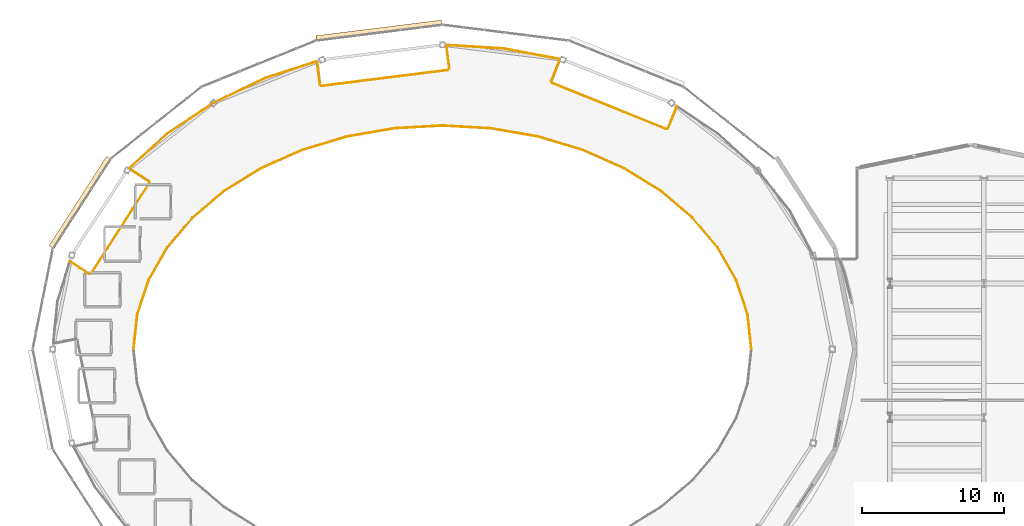
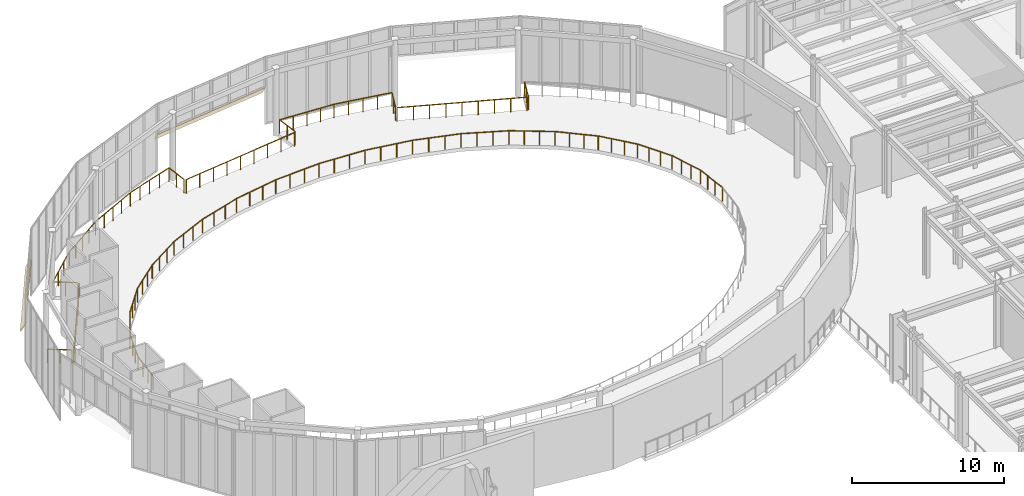
# One storey, part 93 of 98: 16 railings, 2 coverings.
"""IFC4 building model written with IfcOpenShell, lengths in metres."""

from ifc_helpers import new_model, si_unit, direction, frame, origin, origin_2d, place, context, subcontext, project, spatial, polyline, circle, outline, extrude, material, layer, layer_set, type_object, element, save


model = new_model("IFC4")

# Units and contexts
model_context = context("Model", 3, precision=1e-05, world=origin(), true_north=direction((0.0, 1.0)))
body_context = subcontext(model_context, "Body", "Model", "MODEL_VIEW")
ifc_project = project(units=[si_unit("LENGTHUNIT", "METRE"), si_unit("AREAUNIT", "SQUARE_METRE"), si_unit("VOLUMEUNIT", "CUBIC_METRE"), si_unit("PLANEANGLEUNIT", "RADIAN"), si_unit("MASSUNIT", "GRAM", prefix="KILO")], contexts=[model_context])

# Site, building, storey
site_placement = place(None, origin())
site = spatial("IfcSite", under=ifc_project, at=site_placement, CompositionType="ELEMENT")
building_placement = place(site_placement, origin())
building = spatial("IfcBuilding", under=site, at=building_placement, Name="Sollismere Congress Hotel", CompositionType="ELEMENT")
storey_placement = place(building_placement, frame((0.0, 0.0, 5.39990234375)))
storey = spatial("IfcBuildingStorey", under=building, at=storey_placement, Name="L01", CompositionType="ELEMENT", Elevation=5.39990234375)

# Coverings
ifc_material_1 = material(Name="Standing-Seam Titanium-Zinc Roof Assembly")
ifc_layer = layer(ifc_material_1, 0.054931640625, Name="Standing-Seam Titanium-Zinc Roof Assembly")
ifc_layer_set = layer_set([ifc_layer], Name="Standing-Seam Titanium-Zinc Roof Assembly")
covering_type = type_object("IfcCoveringType", Name="CV-RFZNC", PredefinedType="ROOFING", material=ifc_layer_set)
covering_1_placement = place(storey_placement, frame((28.935302734375, 113.425048828125, 2.35986328125), z_axis=(-0.107421607984, 0.857020305702, 0.503961103412), x_axis=(-0.992235617802, -0.12437233916, 4.116519e-06)))
element("IfcCovering", 1, at=covering_1_placement, inside=storey, type_object=covering_type, Name="Congress portal hood 5", PredefinedType="ROOFING", context=body_context, shape_type="SweptSolid", body=[
    extrude(outline(polyline([(0.0, 0.0), (8.893798828125, 0.0), (8.8740234375, 0.6943359375), (0.02001953125, 0.694580078125), (0.0, 0.0)])), origin(), (0.0, 0.0, 1.0), 0.080078125),
])
covering_2_placement = place(storey_placement, frame((5.488525390625, 103.89892578125, 2.35986328125), z_axis=(-0.726293743383, 0.467678234548, 0.503760327193), x_axis=(-0.541392744444, -0.840769823592, -8.26275e-07)))
element("IfcCovering", 2, at=covering_2_placement, inside=storey, type_object=covering_type, Name="Congress portal hood 8", PredefinedType="ROOFING", context=body_context, shape_type="SweptSolid", body=[
    extrude(outline(polyline([(0.0, 0.0), (7.483154296875, 0.0), (7.463134765625, 0.6943359375), (0.02001953125, 0.6943359375), (0.0, 0.0)])), origin(), (0.0, 0.0, 1.0), 0.080078125),
])

# Railings
ifc_material_2 = material(Name="Bronze and Laminated Safety Glass", Category="glass")
railing_type = type_object("IfcRailingType", Name="RL-BAL112I", PredefinedType="BALUSTRADE", material=ifc_material_2)
railing_1_placement = place(storey_placement, frame((50.679931640625, 90.39990234375, 0.0)))
element("IfcRailing", 3, at=railing_1_placement, inside=storey, type_object=railing_type, Name="RLG-GDA-L01-008", PredefinedType="BALUSTRADE", context=body_context, shape_type="SweptSolid", body=[
    extrude(circle(Radius=0.02392578125, at=origin_2d()), frame((0.0, 0.0, 1.09619140625), z_axis=(-0.108150595503, 0.994134522433, 0.0), x_axis=(-0.994134522433, -0.108150595503, 0.0)), (0.0, 0.0, 1.0), 2.46728515625),
    extrude(circle(Radius=0.02392578125, at=origin_2d()), frame((-0.266845703125, 2.452880859375, 1.09619140625), z_axis=(-0.315036324974, 0.949079614125, 0.0), x_axis=(-0.949079614125, -0.315036324974, 0.0)), (0.0, 0.0, 1.0), 2.52099609375),
    extrude(circle(Radius=0.02392578125, at=origin_2d()), frame((-1.06103515625, 4.845458984375, 1.09619140625), z_axis=(-0.497011858061, 0.867743748435, 0.0), x_axis=(-0.867743748435, -0.497011858061, 0.0)), (0.0, 0.0, 1.0), 2.61962890625),
    extrude(circle(Radius=0.02392578125, at=origin_2d()), frame((-2.363037109375, 7.11865234375, 1.09619140625), z_axis=(-0.646407821487, 0.762992089291, 0.0), x_axis=(-0.762992089291, -0.646407821487, 0.0)), (0.0, 0.0, 1.0), 2.74951171875),
    extrude(circle(Radius=0.02392578125, at=origin_2d()), frame((-4.140380859375, 9.216552734375, 1.09619140625), z_axis=(-0.763165534906, 0.646203038009, 0.0), x_axis=(-0.646203038009, -0.763165534906, 0.0)), (0.0, 0.0, 1.0), 2.895263671875),
    extrude(circle(Radius=0.02392578125, at=origin_2d()), frame((-6.349853515625, 11.08740234375, 1.09619140625), z_axis=(-0.850747316011, 0.525574927389, 0.0), x_axis=(-0.525574927389, -0.850747316011, 0.0)), (0.0, 0.0, 1.0), 3.040771484375),
    extrude(circle(Radius=0.02392578125, at=origin_2d()), frame((-8.936767578125, 12.685546875, 1.09619140625), z_axis=(-0.914223583999, 0.405210116433, 0.0), x_axis=(-0.405210116433, -0.914223583999, 0.0)), (0.0, 0.0, 1.0), 3.1728515625),
    extrude(circle(Radius=0.02392578125, at=origin_2d()), frame((-11.83740234375, 13.97119140625, 1.09619140625), z_axis=(-0.957953166414, 0.286924608489, 0.0), x_axis=(-0.286924608489, -0.957953166414, 0.0)), (0.0, 0.0, 1.0), 3.281005859375),
    extrude(circle(Radius=0.02392578125, at=origin_2d()), frame((-14.98046875, 14.91259765625, 1.09619140625), z_axis=(-0.985252822019, 0.171104870486, 0.0), x_axis=(-0.171104870486, -0.985252822019, 0.0)), (0.0, 0.0, 1.0), 3.357421875),
    extrude(circle(Radius=0.02392578125, at=origin_2d()), frame((-18.288330078125, 15.487060546875, 1.09619140625), z_axis=(-0.998382892186, 0.05684716871, 0.0), x_axis=(-0.05684716871, -0.998382892186, 0.0)), (0.0, 0.0, 1.0), 3.397216796875),
    extrude(circle(Radius=0.02392578125, at=origin_2d()), frame((-21.679931640625, 15.68017578125, 1.09619140625), z_axis=(-0.998382892186, -0.05684716871, 0.0), x_axis=(0.05684716871, -0.998382892186, 0.0)), (0.0, 0.0, 1.0), 3.397216796875),
    extrude(circle(Radius=0.02392578125, at=origin_2d()), frame((-25.071533203125, 15.487060546875, 1.09619140625), z_axis=(-0.985252822019, -0.171104870486, 0.0), x_axis=(0.171104870486, -0.985252822019, 0.0)), (0.0, 0.0, 1.0), 3.357421875),
    extrude(circle(Radius=0.02392578125, at=origin_2d()), frame((-28.37939453125, 14.91259765625, 1.09619140625), z_axis=(-0.957953166414, -0.286924608489, 0.0), x_axis=(0.286924608489, -0.957953166414, 0.0)), (0.0, 0.0, 1.0), 3.281005859375),
    extrude(circle(Radius=0.02392578125, at=origin_2d()), frame((-31.5224609375, 13.97119140625, 1.09619140625), z_axis=(-0.914223583999, -0.405210116433, 0.0), x_axis=(0.405210116433, -0.914223583999, 0.0)), (0.0, 0.0, 1.0), 3.1728515625),
    extrude(circle(Radius=0.02392578125, at=origin_2d()), frame((-34.423095703125, 12.685546875, 1.09619140625), z_axis=(-0.850747316011, -0.525574927389, 0.0), x_axis=(0.525574927389, -0.850747316011, 0.0)), (0.0, 0.0, 1.0), 3.040771484375),
    extrude(circle(Radius=0.02392578125, at=origin_2d()), frame((-37.010009765625, 11.08740234375, 1.09619140625), z_axis=(-0.763165534906, -0.646203038009, 0.0), x_axis=(0.646203038009, -0.763165534906, 0.0)), (0.0, 0.0, 1.0), 2.895263671875),
    extrude(circle(Radius=0.02392578125, at=origin_2d()), frame((-39.219482421875, 9.216552734375, 1.09619140625), z_axis=(-0.646407821487, -0.762992089291, 0.0), x_axis=(0.762992089291, -0.646407821487, 0.0)), (0.0, 0.0, 1.0), 2.74951171875),
    extrude(circle(Radius=0.02392578125, at=origin_2d()), frame((-40.996826171875, 7.11865234375, 1.09619140625), z_axis=(-0.497011858061, -0.867743748435, 0.0), x_axis=(0.867743748435, -0.497011858061, 0.0)), (0.0, 0.0, 1.0), 2.61962890625),
    extrude(circle(Radius=0.02392578125, at=origin_2d()), frame((-42.298828125, 4.845458984375, 1.09619140625), z_axis=(-0.315036324974, -0.949079614125, 0.0), x_axis=(0.949079614125, -0.315036324974, 0.0)), (0.0, 0.0, 1.0), 2.52099609375),
    extrude(circle(Radius=0.02392578125, at=origin_2d()), frame((-43.093017578125, 2.452880859375, 1.09619140625), z_axis=(-0.108150595503, -0.994134522433, 0.0), x_axis=(0.994134522433, -0.108150595503, 0.0)), (0.0, 0.0, 1.0), 2.46728515625),
    extrude(circle(Radius=0.02099609375, at=origin_2d()), origin(), (0.0, 0.0, 1.0), 1.072021484375),
    extrude(circle(Radius=0.02099609375, at=origin_2d()), frame((-0.0888671875, 0.817626953125, 0.0)), (0.0, 0.0, 1.0), 1.072021484375),
    extrude(circle(Radius=0.02099609375, at=origin_2d()), frame((-0.177978515625, 1.63525390625, 0.0)), (0.0, 0.0, 1.0), 1.072021484375),
    extrude(circle(Radius=0.02099609375, at=origin_2d()), frame((-0.266845703125, 2.452880859375, 0.0)), (0.0, 0.0, 1.0), 1.072021484375),
    extrude(circle(Radius=0.02099609375, at=origin_2d()), frame((-0.531494140625, 3.25048828125, 0.0)), (0.0, 0.0, 1.0), 1.072021484375),
    extrude(circle(Radius=0.02099609375, at=origin_2d()), frame((-0.79638671875, 4.0478515625, 0.0)), (0.0, 0.0, 1.0), 1.072021484375),
    extrude(circle(Radius=0.02099609375, at=origin_2d()), frame((-1.06103515625, 4.845458984375, 0.0)), (0.0, 0.0, 1.0), 1.072021484375),
    extrude(circle(Radius=0.02099609375, at=origin_2d()), frame((-1.4951171875, 5.603271484375, 0.0)), (0.0, 0.0, 1.0), 1.072021484375),
    extrude(circle(Radius=0.02099609375, at=origin_2d()), frame((-1.928955078125, 6.36083984375, 0.0)), (0.0, 0.0, 1.0), 1.072021484375),
    extrude(circle(Radius=0.02099609375, at=origin_2d()), frame((-2.363037109375, 7.11865234375, 0.0)), (0.0, 0.0, 1.0), 1.072021484375),
    extrude(circle(Radius=0.02099609375, at=origin_2d()), frame((-2.95556640625, 7.81787109375, 0.0)), (0.0, 0.0, 1.0), 1.072021484375),
    extrude(circle(Radius=0.02099609375, at=origin_2d()), frame((-3.5478515625, 8.517333984375, 0.0)), (0.0, 0.0, 1.0), 1.072021484375),
    extrude(circle(Radius=0.02099609375, at=origin_2d()), frame((-4.140380859375, 9.216552734375, 0.0)), (0.0, 0.0, 1.0), 1.072021484375),
    extrude(circle(Radius=0.02099609375, at=origin_2d()), frame((-4.876953125, 9.840087890625, 0.0)), (0.0, 0.0, 1.0), 1.072021484375),
    extrude(circle(Radius=0.02099609375, at=origin_2d()), frame((-5.61328125, 10.4638671875, 0.0)), (0.0, 0.0, 1.0), 1.072021484375),
    extrude(circle(Radius=0.02099609375, at=origin_2d()), frame((-6.349853515625, 11.08740234375, 0.0)), (0.0, 0.0, 1.0), 1.072021484375),
    extrude(circle(Radius=0.02099609375, at=origin_2d()), frame((-7.212158203125, 11.6201171875, 0.0)), (0.0, 0.0, 1.0), 1.072021484375),
    extrude(circle(Radius=0.02099609375, at=origin_2d()), frame((-8.074462890625, 12.15283203125, 0.0)), (0.0, 0.0, 1.0), 1.072021484375),
    extrude(circle(Radius=0.02099609375, at=origin_2d()), frame((-8.936767578125, 12.685546875, 0.0)), (0.0, 0.0, 1.0), 1.072021484375),
    extrude(circle(Radius=0.02099609375, at=origin_2d()), frame((-9.903564453125, 13.114013671875, 0.0)), (0.0, 0.0, 1.0), 1.072021484375),
    extrude(circle(Radius=0.02099609375, at=origin_2d()), frame((-10.87060546875, 13.542724609375, 0.0)), (0.0, 0.0, 1.0), 1.072021484375),
    extrude(circle(Radius=0.02099609375, at=origin_2d()), frame((-11.83740234375, 13.97119140625, 0.0)), (0.0, 0.0, 1.0), 1.072021484375),
    extrude(circle(Radius=0.02099609375, at=origin_2d()), frame((-12.885009765625, 14.284912109375, 0.0)), (0.0, 0.0, 1.0), 1.072021484375),
    extrude(circle(Radius=0.02099609375, at=origin_2d()), frame((-13.932861328125, 14.598876953125, 0.0)), (0.0, 0.0, 1.0), 1.072021484375),
    extrude(circle(Radius=0.02099609375, at=origin_2d()), frame((-14.98046875, 14.91259765625, 0.0)), (0.0, 0.0, 1.0), 1.072021484375),
    extrude(circle(Radius=0.02099609375, at=origin_2d()), frame((-16.0830078125, 15.10400390625, 0.0)), (0.0, 0.0, 1.0), 1.072021484375),
    extrude(circle(Radius=0.02099609375, at=origin_2d()), frame((-17.185791015625, 15.295654296875, 0.0)), (0.0, 0.0, 1.0), 1.072021484375),
    extrude(circle(Radius=0.02099609375, at=origin_2d()), frame((-18.288330078125, 15.487060546875, 0.0)), (0.0, 0.0, 1.0), 1.072021484375),
    extrude(circle(Radius=0.02099609375, at=origin_2d()), frame((-19.4189453125, 15.551513671875, 0.0)), (0.0, 0.0, 1.0), 1.072021484375),
    extrude(circle(Radius=0.02099609375, at=origin_2d()), frame((-20.54931640625, 15.61572265625, 0.0)), (0.0, 0.0, 1.0), 1.072021484375),
    extrude(circle(Radius=0.02099609375, at=origin_2d()), frame((-21.679931640625, 15.68017578125, 0.0)), (0.0, 0.0, 1.0), 1.072021484375),
    extrude(circle(Radius=0.02099609375, at=origin_2d()), frame((-22.810546875, 15.61572265625, 0.0)), (0.0, 0.0, 1.0), 1.072021484375),
    extrude(circle(Radius=0.02099609375, at=origin_2d()), frame((-23.94091796875, 15.551513671875, 0.0)), (0.0, 0.0, 1.0), 1.072021484375),
    extrude(circle(Radius=0.02099609375, at=origin_2d()), frame((-25.071533203125, 15.487060546875, 0.0)), (0.0, 0.0, 1.0), 1.072021484375),
    extrude(circle(Radius=0.02099609375, at=origin_2d()), frame((-26.174072265625, 15.295654296875, 0.0)), (0.0, 0.0, 1.0), 1.072021484375),
    extrude(circle(Radius=0.02099609375, at=origin_2d()), frame((-27.27685546875, 15.10400390625, 0.0)), (0.0, 0.0, 1.0), 1.072021484375),
    extrude(circle(Radius=0.02099609375, at=origin_2d()), frame((-28.37939453125, 14.91259765625, 0.0)), (0.0, 0.0, 1.0), 1.072021484375),
    extrude(circle(Radius=0.02099609375, at=origin_2d()), frame((-29.427001953125, 14.598876953125, 0.0)), (0.0, 0.0, 1.0), 1.072021484375),
    extrude(circle(Radius=0.02099609375, at=origin_2d()), frame((-30.474853515625, 14.284912109375, 0.0)), (0.0, 0.0, 1.0), 1.072021484375),
    extrude(circle(Radius=0.02099609375, at=origin_2d()), frame((-31.5224609375, 13.97119140625, 0.0)), (0.0, 0.0, 1.0), 1.072021484375),
    extrude(circle(Radius=0.02099609375, at=origin_2d()), frame((-32.4892578125, 13.542724609375, 0.0)), (0.0, 0.0, 1.0), 1.072021484375),
    extrude(circle(Radius=0.02099609375, at=origin_2d()), frame((-33.456298828125, 13.114013671875, 0.0)), (0.0, 0.0, 1.0), 1.072021484375),
    extrude(circle(Radius=0.02099609375, at=origin_2d()), frame((-34.423095703125, 12.685546875, 0.0)), (0.0, 0.0, 1.0), 1.072021484375),
    extrude(circle(Radius=0.02099609375, at=origin_2d()), frame((-35.285400390625, 12.15283203125, 0.0)), (0.0, 0.0, 1.0), 1.072021484375),
    extrude(circle(Radius=0.02099609375, at=origin_2d()), frame((-36.147705078125, 11.6201171875, 0.0)), (0.0, 0.0, 1.0), 1.072021484375),
    extrude(circle(Radius=0.02099609375, at=origin_2d()), frame((-37.010009765625, 11.08740234375, 0.0)), (0.0, 0.0, 1.0), 1.072021484375),
    extrude(circle(Radius=0.02099609375, at=origin_2d()), frame((-37.74658203125, 10.4638671875, 0.0)), (0.0, 0.0, 1.0), 1.072021484375),
    extrude(circle(Radius=0.02099609375, at=origin_2d()), frame((-38.48291015625, 9.840087890625, 0.0)), (0.0, 0.0, 1.0), 1.072021484375),
    extrude(circle(Radius=0.02099609375, at=origin_2d()), frame((-39.219482421875, 9.216552734375, 0.0)), (0.0, 0.0, 1.0), 1.072021484375),
    extrude(circle(Radius=0.02099609375, at=origin_2d()), frame((-39.81201171875, 8.517333984375, 0.0)), (0.0, 0.0, 1.0), 1.072021484375),
    extrude(circle(Radius=0.02099609375, at=origin_2d()), frame((-40.404296875, 7.81787109375, 0.0)), (0.0, 0.0, 1.0), 1.072021484375),
    extrude(circle(Radius=0.02099609375, at=origin_2d()), frame((-40.996826171875, 7.11865234375, 0.0)), (0.0, 0.0, 1.0), 1.072021484375),
    extrude(circle(Radius=0.02099609375, at=origin_2d()), frame((-41.430908203125, 6.36083984375, 0.0)), (0.0, 0.0, 1.0), 1.072021484375),
    extrude(circle(Radius=0.02099609375, at=origin_2d()), frame((-41.86474609375, 5.603271484375, 0.0)), (0.0, 0.0, 1.0), 1.072021484375),
    extrude(circle(Radius=0.02099609375, at=origin_2d()), frame((-42.298828125, 4.845458984375, 0.0)), (0.0, 0.0, 1.0), 1.072021484375),
    extrude(circle(Radius=0.02099609375, at=origin_2d()), frame((-42.5634765625, 4.0478515625, 0.0)), (0.0, 0.0, 1.0), 1.072021484375),
    extrude(circle(Radius=0.02099609375, at=origin_2d()), frame((-42.828369140625, 3.25048828125, 0.0)), (0.0, 0.0, 1.0), 1.072021484375),
    extrude(circle(Radius=0.02099609375, at=origin_2d()), frame((-43.093017578125, 2.452880859375, 0.0)), (0.0, 0.0, 1.0), 1.072021484375),
    extrude(circle(Radius=0.02099609375, at=origin_2d()), frame((-43.181884765625, 1.63525390625, 0.0)), (0.0, 0.0, 1.0), 1.072021484375),
    extrude(circle(Radius=0.02099609375, at=origin_2d()), frame((-43.27099609375, 0.817626953125, 0.0)), (0.0, 0.0, 1.0), 1.072021484375),
    extrude(circle(Radius=0.02099609375, at=origin_2d()), frame((-43.35986328125, 0.0, 0.0)), (0.0, 0.0, 1.0), 1.072021484375),
])
railing_2_placement = place(storey_placement, frame((2.84912109375, 96.543701171875, 0.0)))
element("IfcRailing", 4, at=railing_2_placement, inside=storey, type_object=railing_type, Name="RLG-GDA-L01-035", PredefinedType="BALUSTRADE", context=body_context, shape_type="SweptSolid", body=[
    extrude(circle(Radius=0.02392578125, at=origin_2d()), frame((0.0, 0.0, 1.09619140625), z_axis=(0.840766412548, -0.541398041677, 0.0), x_axis=(0.541398041677, 0.840766412548, 0.0)), (0.0, 0.0, 1.0), 1.617919921875),
    extrude(circle(Radius=0.02099609375, at=origin_2d()), origin(), (0.0, 0.0, 1.0), 1.072021484375),
    extrude(circle(Radius=0.02099609375, at=origin_2d()), frame((0.68017578125, -0.43798828125, 0.0)), (0.0, 0.0, 1.0), 1.072021484375),
    extrude(circle(Radius=0.02099609375, at=origin_2d()), frame((1.3603515625, -0.8759765625, 0.0)), (0.0, 0.0, 1.0), 1.072021484375),
])
railing_3_placement = place(storey_placement, frame((4.34765625, 95.69775390625, 0.0)))
element("IfcRailing", 5, at=railing_3_placement, inside=storey, type_object=railing_type, Name="RLG-GDA-L01-036", PredefinedType="BALUSTRADE", context=body_context, shape_type="SweptSolid", body=[
    extrude(circle(Radius=0.02392578125, at=origin_2d()), frame((0.0, 0.0, 1.09619140625), z_axis=(0.541387234376, 0.840773371638, 0.0), x_axis=(-0.840773371638, 0.541387234376, 0.0)), (0.0, 0.0, 1.0), 7.543212890625),
    extrude(circle(Radius=0.02099609375, at=origin_2d()), origin(), (0.0, 0.0, 1.0), 1.072021484375),
    extrude(circle(Radius=0.02099609375, at=origin_2d()), frame((0.58349609375, 0.906005859375, 0.0)), (0.0, 0.0, 1.0), 1.072021484375),
    extrude(circle(Radius=0.02099609375, at=origin_2d()), frame((1.166748046875, 1.81201171875, 0.0)), (0.0, 0.0, 1.0), 1.072021484375),
    extrude(circle(Radius=0.02099609375, at=origin_2d()), frame((1.750244140625, 2.718017578125, 0.0)), (0.0, 0.0, 1.0), 1.072021484375),
    extrude(circle(Radius=0.02099609375, at=origin_2d()), frame((2.33349609375, 3.6240234375, 0.0)), (0.0, 0.0, 1.0), 1.072021484375),
    extrude(circle(Radius=0.02099609375, at=origin_2d()), frame((2.9169921875, 4.530029296875, 0.0)), (0.0, 0.0, 1.0), 1.072021484375),
    extrude(circle(Radius=0.02099609375, at=origin_2d()), frame((3.500244140625, 5.43603515625, 0.0)), (0.0, 0.0, 1.0), 1.072021484375),
    extrude(circle(Radius=0.02099609375, at=origin_2d()), frame((4.083740234375, 6.342041015625, 0.0)), (0.0, 0.0, 1.0), 1.072021484375),
])
railing_4_placement = place(storey_placement, frame((8.4013671875, 102.177978515625, 0.0)))
element("IfcRailing", 6, at=railing_4_placement, inside=storey, type_object=railing_type, Name="RLG-GDA-L01-037", PredefinedType="BALUSTRADE", context=body_context, shape_type="SweptSolid", body=[
    extrude(circle(Radius=0.02392578125, at=origin_2d()), frame((0.0, 0.0, 1.09619140625), z_axis=(-0.840827989645, 0.541302403311, 0.0), x_axis=(-0.541302403311, -0.840827989645, 0.0)), (0.0, 0.0, 1.0), 1.653076171875),
    extrude(circle(Radius=0.02099609375, at=origin_2d()), origin(), (0.0, 0.0, 1.0), 1.072021484375),
    extrude(circle(Radius=0.02099609375, at=origin_2d()), frame((-0.69482421875, 0.447265625, 0.0)), (0.0, 0.0, 1.0), 1.072021484375),
    extrude(circle(Radius=0.02099609375, at=origin_2d()), frame((-1.389892578125, 0.894775390625, 0.0)), (0.0, 0.0, 1.0), 1.072021484375),
])
railing_5_placement = place(storey_placement, frame((7.011474609375, 103.07275390625, 0.0)))
element("IfcRailing", 7, at=railing_5_placement, inside=storey, type_object=railing_type, Name="RLG-GDA-L01-038", PredefinedType="BALUSTRADE", context=body_context, shape_type="SweptSolid", body=[
    extrude(circle(Radius=0.02392578125, at=origin_2d()), frame((0.0, 0.0, 1.09619140625), z_axis=(0.737790954362, 0.6750292643, 0.0), x_axis=(-0.6750292643, 0.737790954362, 0.0)), (0.0, 0.0, 1.0), 3.578857421875),
    extrude(circle(Radius=0.02099609375, at=origin_2d()), origin(), (0.0, 0.0, 1.0), 1.072021484375),
    extrude(circle(Radius=0.02099609375, at=origin_2d()), frame((0.880126953125, 0.80517578125, 0.0)), (0.0, 0.0, 1.0), 1.072021484375),
    extrude(circle(Radius=0.02099609375, at=origin_2d()), frame((1.76025390625, 1.610595703125, 0.0)), (0.0, 0.0, 1.0), 1.072021484375),
    extrude(circle(Radius=0.02099609375, at=origin_2d()), frame((2.640380859375, 2.415771484375, 0.0)), (0.0, 0.0, 1.0), 1.072021484375),
])
railing_6_placement = place(storey_placement, frame((9.65185546875, 105.488525390625, 0.0)))
element("IfcRailing", 8, at=railing_6_placement, inside=storey, type_object=railing_type, Name="RLG-GDA-L01-039", PredefinedType="BALUSTRADE", context=body_context, shape_type="SweptSolid", body=[
    extrude(circle(Radius=0.02392578125, at=origin_2d()), frame((0.0, 0.0, 1.09619140625), z_axis=(0.831762947027, 0.555130975494, 0.0), x_axis=(-0.555130975494, 0.831762947027, 0.0)), (0.0, 0.0, 1.0), 3.9228515625),
    extrude(circle(Radius=0.02099609375, at=origin_2d()), origin(), (0.0, 0.0, 1.0), 1.072021484375),
    extrude(circle(Radius=0.02099609375, at=origin_2d()), frame((0.815673828125, 0.54443359375, 0.0)), (0.0, 0.0, 1.0), 1.072021484375),
    extrude(circle(Radius=0.02099609375, at=origin_2d()), frame((1.63134765625, 1.0888671875, 0.0)), (0.0, 0.0, 1.0), 1.072021484375),
    extrude(circle(Radius=0.02099609375, at=origin_2d()), frame((2.447265625, 1.63330078125, 0.0)), (0.0, 0.0, 1.0), 1.072021484375),
    extrude(circle(Radius=0.02099609375, at=origin_2d()), frame((3.262939453125, 2.177734375, 0.0)), (0.0, 0.0, 1.0), 1.072021484375),
])
railing_7_placement = place(storey_placement, frame((12.914794921875, 107.666259765625, 0.0)))
element("IfcRailing", 9, at=railing_7_placement, inside=storey, type_object=railing_type, Name="RLG-GDA-L01-040", PredefinedType="BALUSTRADE", context=body_context, shape_type="SweptSolid", body=[
    extrude(circle(Radius=0.02392578125, at=origin_2d()), frame((0.0, 0.0, 1.09619140625), z_axis=(0.901936626464, 0.431868408016, 0.0), x_axis=(-0.431868408016, 0.901936626464, 0.0)), (0.0, 0.0, 1.0), 4.058349609375),
    extrude(circle(Radius=0.02099609375, at=origin_2d()), origin(), (0.0, 0.0, 1.0), 1.072021484375),
    extrude(circle(Radius=0.02099609375, at=origin_2d()), frame((0.9150390625, 0.438232421875, 0.0)), (0.0, 0.0, 1.0), 1.072021484375),
    extrude(circle(Radius=0.02099609375, at=origin_2d()), frame((1.830078125, 0.87646484375, 0.0)), (0.0, 0.0, 1.0), 1.072021484375),
    extrude(circle(Radius=0.02099609375, at=origin_2d()), frame((2.745361328125, 1.314453125, 0.0)), (0.0, 0.0, 1.0), 1.072021484375),
    extrude(circle(Radius=0.02099609375, at=origin_2d()), frame((3.660400390625, 1.752685546875, 0.0)), (0.0, 0.0, 1.0), 1.072021484375),
])
railing_8_placement = place(storey_placement, frame((16.5751953125, 109.4189453125, 0.0)))
element("IfcRailing", 10, at=railing_8_placement, inside=storey, type_object=railing_type, Name="RLG-GDA-L01-041", PredefinedType="BALUSTRADE", context=body_context, shape_type="SweptSolid", body=[
    extrude(circle(Radius=0.02392578125, at=origin_2d()), frame((0.0, 0.0, 1.09619140625), z_axis=(0.95139919985, 0.307960326219, 0.0), x_axis=(-0.307960326219, 0.95139919985, 0.0)), (0.0, 0.0, 1.0), 3.80615234375),
    extrude(circle(Radius=0.02099609375, at=origin_2d()), origin(), (0.0, 0.0, 1.0), 1.072021484375),
    extrude(circle(Radius=0.02099609375, at=origin_2d()), frame((0.9052734375, 0.29296875, 0.0)), (0.0, 0.0, 1.0), 1.072021484375),
    extrude(circle(Radius=0.02099609375, at=origin_2d()), frame((1.810546875, 0.5859375, 0.0)), (0.0, 0.0, 1.0), 1.072021484375),
    extrude(circle(Radius=0.02099609375, at=origin_2d()), frame((2.7158203125, 0.879150390625, 0.0)), (0.0, 0.0, 1.0), 1.072021484375),
    extrude(circle(Radius=0.02099609375, at=origin_2d()), frame((3.62109375, 1.172119140625, 0.0)), (0.0, 0.0, 1.0), 1.072021484375),
])
railing_9_placement = place(storey_placement, frame((20.1962890625, 110.591064453125, 0.0)))
element("IfcRailing", 11, at=railing_9_placement, inside=storey, type_object=railing_type, Name="RLG-GDA-L01-042", PredefinedType="BALUSTRADE", context=body_context, shape_type="SweptSolid", body=[
    extrude(circle(Radius=0.02392578125, at=origin_2d()), frame((0.0, 0.0, 1.09619140625), z_axis=(0.124288774556, -0.992246088689, 0.0), x_axis=(0.992246088689, 0.124288774556, 0.0)), (0.0, 0.0, 1.0), 1.656005859375),
    extrude(circle(Radius=0.02099609375, at=origin_2d()), origin(), (0.0, 0.0, 1.0), 1.072021484375),
    extrude(circle(Radius=0.02099609375, at=origin_2d()), frame((0.10302734375, -0.821533203125, 0.0)), (0.0, 0.0, 1.0), 1.072021484375),
    extrude(circle(Radius=0.02099609375, at=origin_2d()), frame((0.205810546875, -1.64306640625, 0.0)), (0.0, 0.0, 1.0), 1.072021484375),
])
railing_10_placement = place(storey_placement, frame((20.513916015625, 108.861328125, 0.0)))
element("IfcRailing", 12, at=railing_10_placement, inside=storey, type_object=railing_type, Name="RLG-GDA-L01-043", PredefinedType="BALUSTRADE", context=body_context, shape_type="SweptSolid", body=[
    extrude(circle(Radius=0.02392578125, at=origin_2d()), frame((0.0, 0.0, 1.09619140625), z_axis=(0.992236290623, 0.12436697138, 0.0), x_axis=(-0.12436697138, 0.992236290623, 0.0)), (0.0, 0.0, 1.0), 8.95361328125),
    extrude(circle(Radius=0.02099609375, at=origin_2d()), origin(), (0.0, 0.0, 1.0), 1.072021484375),
    extrude(circle(Radius=0.02099609375, at=origin_2d()), frame((1.110595703125, 0.13916015625, 0.0)), (0.0, 0.0, 1.0), 1.072021484375),
    extrude(circle(Radius=0.02099609375, at=origin_2d()), frame((2.220947265625, 0.2783203125, 0.0)), (0.0, 0.0, 1.0), 1.072021484375),
    extrude(circle(Radius=0.02099609375, at=origin_2d()), frame((3.33154296875, 0.41748046875, 0.0)), (0.0, 0.0, 1.0), 1.072021484375),
    extrude(circle(Radius=0.02099609375, at=origin_2d()), frame((4.44189453125, 0.556640625, 0.0)), (0.0, 0.0, 1.0), 1.072021484375),
    extrude(circle(Radius=0.02099609375, at=origin_2d()), frame((5.552490234375, 0.696044921875, 0.0)), (0.0, 0.0, 1.0), 1.072021484375),
    extrude(circle(Radius=0.02099609375, at=origin_2d()), frame((6.6630859375, 0.835205078125, 0.0)), (0.0, 0.0, 1.0), 1.072021484375),
    extrude(circle(Radius=0.02099609375, at=origin_2d()), frame((7.7734375, 0.974365234375, 0.0)), (0.0, 0.0, 1.0), 1.072021484375),
    extrude(circle(Radius=0.02099609375, at=origin_2d()), frame((8.884033203125, 1.113525390625, 0.0)), (0.0, 0.0, 1.0), 1.072021484375),
])
railing_11_placement = place(storey_placement, frame((29.484619140625, 110.08642578125, 0.0)))
element("IfcRailing", 13, at=railing_11_placement, inside=storey, type_object=railing_type, Name="RLG-GDA-L01-044", PredefinedType="BALUSTRADE", context=body_context, shape_type="SweptSolid", body=[
    extrude(circle(Radius=0.02392578125, at=origin_2d()), frame((0.0, 0.0, 1.09619140625), z_axis=(-0.124342613834, 0.992239343296, 0.0), x_axis=(-0.992239343296, -0.124342613834, 0.0)), (0.0, 0.0, 1.0), 1.6591796875),
    extrude(circle(Radius=0.02099609375, at=origin_2d()), origin(), (0.0, 0.0, 1.0), 1.072021484375),
    extrude(circle(Radius=0.02099609375, at=origin_2d()), frame((-0.10302734375, 0.8232421875, 0.0)), (0.0, 0.0, 1.0), 1.072021484375),
    extrude(circle(Radius=0.02099609375, at=origin_2d()), frame((-0.206298828125, 1.646240234375, 0.0)), (0.0, 0.0, 1.0), 1.072021484375),
])
railing_12_placement = place(storey_placement, frame((29.2783203125, 111.732666015625, 0.0)))
element("IfcRailing", 14, at=railing_12_placement, inside=storey, type_object=railing_type, Name="RLG-GDA-L01-045", PredefinedType="BALUSTRADE", context=body_context, shape_type="SweptSolid", body=[
    extrude(circle(Radius=0.02392578125, at=origin_2d()), frame((0.0, 0.0, 1.09619140625), z_axis=(0.998116001129, -0.06135509996, 0.0), x_axis=(0.06135509996, 0.998116001129, 0.0)), (0.0, 0.0, 1.0), 4.010986328125),
    extrude(circle(Radius=0.02099609375, at=origin_2d()), origin(), (0.0, 0.0, 1.0), 1.072021484375),
    extrude(circle(Radius=0.02099609375, at=origin_2d()), frame((1.0009765625, -0.0615234375, 0.0)), (0.0, 0.0, 1.0), 1.072021484375),
    extrude(circle(Radius=0.02099609375, at=origin_2d()), frame((2.001708984375, -0.123046875, 0.0)), (0.0, 0.0, 1.0), 1.072021484375),
    extrude(circle(Radius=0.02099609375, at=origin_2d()), frame((3.00244140625, -0.1845703125, 0.0)), (0.0, 0.0, 1.0), 1.072021484375),
    extrude(circle(Radius=0.02099609375, at=origin_2d()), frame((4.00341796875, -0.24609375, 0.0)), (0.0, 0.0, 1.0), 1.072021484375),
])
railing_13_placement = place(storey_placement, frame((33.28173828125, 111.486572265625, 0.0)))
element("IfcRailing", 15, at=railing_13_placement, inside=storey, type_object=railing_type, Name="RLG-GDA-L01-046", PredefinedType="BALUSTRADE", context=body_context, shape_type="SweptSolid", body=[
    extrude(circle(Radius=0.02392578125, at=origin_2d()), frame((0.0, 0.0, 1.09619140625), z_axis=(0.982848244626, -0.184416181602, 0.0), x_axis=(0.184416181602, 0.982848244626, 0.0)), (0.0, 0.0, 1.0), 4.041748046875),
    extrude(circle(Radius=0.02099609375, at=origin_2d()), origin(), (0.0, 0.0, 1.0), 1.072021484375),
    extrude(circle(Radius=0.02099609375, at=origin_2d()), frame((0.9931640625, -0.186279296875, 0.0)), (0.0, 0.0, 1.0), 1.072021484375),
    extrude(circle(Radius=0.02099609375, at=origin_2d()), frame((1.986328125, -0.37255859375, 0.0)), (0.0, 0.0, 1.0), 1.072021484375),
    extrude(circle(Radius=0.02099609375, at=origin_2d()), frame((2.979248046875, -0.55908203125, 0.0)), (0.0, 0.0, 1.0), 1.072021484375),
    extrude(circle(Radius=0.02099609375, at=origin_2d()), frame((3.972412109375, -0.745361328125, 0.0)), (0.0, 0.0, 1.0), 1.072021484375),
])
railing_14_placement = place(storey_placement, frame((37.254150390625, 110.7412109375, 0.0)))
element("IfcRailing", 16, at=railing_14_placement, inside=storey, type_object=railing_type, Name="RLG-GDA-L01-047", PredefinedType="BALUSTRADE", context=body_context, shape_type="SweptSolid", body=[
    extrude(circle(Radius=0.02392578125, at=origin_2d()), frame((0.0, 0.0, 1.09619140625), z_axis=(-0.374021283133, -0.927420120422, 0.0), x_axis=(0.927420120422, -0.374021283133, 0.0)), (0.0, 0.0, 1.0), 1.6630859375),
    extrude(circle(Radius=0.02099609375, at=origin_2d()), origin(), (0.0, 0.0, 1.0), 1.072021484375),
    extrude(circle(Radius=0.02099609375, at=origin_2d()), frame((-0.31103515625, -0.771240234375, 0.0)), (0.0, 0.0, 1.0), 1.072021484375),
    extrude(circle(Radius=0.02099609375, at=origin_2d()), frame((-0.6220703125, -1.54248046875, 0.0)), (0.0, 0.0, 1.0), 1.072021484375),
])
railing_15_placement = place(storey_placement, frame((36.6875, 109.068603515625, 0.0)))
element("IfcRailing", 17, at=railing_15_placement, inside=storey, type_object=railing_type, Name="RLG-GDA-L01-048", PredefinedType="BALUSTRADE", context=body_context, shape_type="SweptSolid", body=[
    extrude(circle(Radius=0.02392578125, at=origin_2d()), frame((0.0, 0.0, 1.09619140625), z_axis=(0.927452218611, -0.373941682878, 0.0), x_axis=(0.373941682878, 0.927452218611, 0.0)), (0.0, 0.0, 1.0), 8.6416015625),
    extrude(circle(Radius=0.02099609375, at=origin_2d()), origin(), (0.0, 0.0, 1.0), 1.072021484375),
    extrude(circle(Radius=0.02099609375, at=origin_2d()), frame((1.001953125, -0.40380859375, 0.0)), (0.0, 0.0, 1.0), 1.072021484375),
    extrude(circle(Radius=0.02099609375, at=origin_2d()), frame((2.003662109375, -0.807861328125, 0.0)), (0.0, 0.0, 1.0), 1.072021484375),
    extrude(circle(Radius=0.02099609375, at=origin_2d()), frame((3.00537109375, -1.2119140625, 0.0)), (0.0, 0.0, 1.0), 1.072021484375),
    extrude(circle(Radius=0.02099609375, at=origin_2d()), frame((4.00732421875, -1.61572265625, 0.0)), (0.0, 0.0, 1.0), 1.072021484375),
    extrude(circle(Radius=0.02099609375, at=origin_2d()), frame((5.00927734375, -2.01953125, 0.0)), (0.0, 0.0, 1.0), 1.072021484375),
    extrude(circle(Radius=0.02099609375, at=origin_2d()), frame((6.010986328125, -2.423583984375, 0.0)), (0.0, 0.0, 1.0), 1.072021484375),
    extrude(circle(Radius=0.02099609375, at=origin_2d()), frame((7.0126953125, -2.82763671875, 0.0)), (0.0, 0.0, 1.0), 1.072021484375),
    extrude(circle(Radius=0.02099609375, at=origin_2d()), frame((8.0146484375, -3.2314453125, 0.0)), (0.0, 0.0, 1.0), 1.072021484375),
])
railing_16_placement = place(storey_placement, frame((44.832275390625, 105.892578125, 0.0)))
element("IfcRailing", 18, at=railing_16_placement, inside=storey, type_object=railing_type, Name="RLG-GDA-L01-049", PredefinedType="BALUSTRADE", context=body_context, shape_type="SweptSolid", body=[
    extrude(circle(Radius=0.02392578125, at=origin_2d()), frame((0.0, 0.0, 1.09619140625), z_axis=(0.373990911958, 0.927432368301, 0.0), x_axis=(-0.927432368301, 0.373990911958, 0.0)), (0.0, 0.0, 1.0), 1.650390625),
    extrude(circle(Radius=0.02099609375, at=origin_2d()), origin(), (0.0, 0.0, 1.0), 1.072021484375),
    extrude(circle(Radius=0.02099609375, at=origin_2d()), frame((0.30859375, 0.76513671875, 0.0)), (0.0, 0.0, 1.0), 1.072021484375),
    extrude(circle(Radius=0.02099609375, at=origin_2d()), frame((0.6171875, 1.530517578125, 0.0)), (0.0, 0.0, 1.0), 1.072021484375),
])

save(model, "model.ifc")
